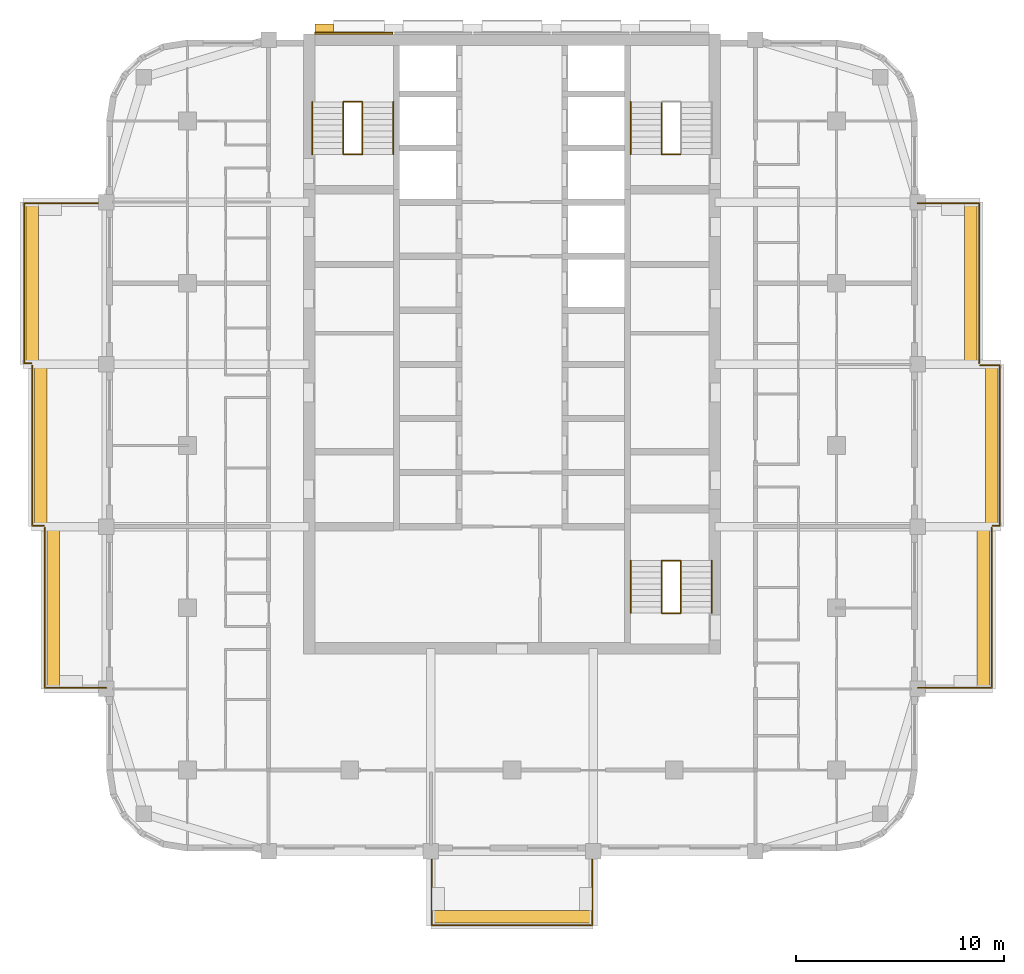
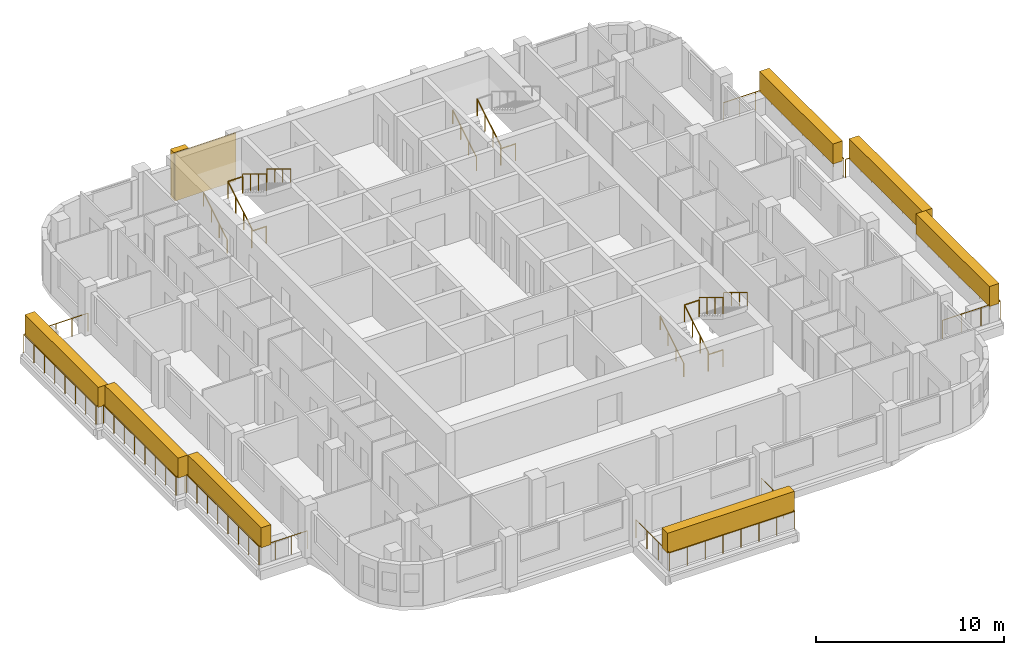
# One storey, part 12 of 13: 22 railings, 9 coverings, 3 elements without a shape of their own.
"""IFC4 building model written with IfcOpenShell, lengths in metres."""

import ifcopenshell
import ifcopenshell.guid

model = None  # the IFC model being written
_history = None  # IfcOwnerHistory: only IFC2X3 demands one
_inside = {}  # id of a spatial element -> (the spatial element, [elements in it])
_under = {}  # id of a project, library or spatial element -> (it, [spatial elements below it])
_declared = {}  # id of a project -> (the project, [libraries it declares])
_typed = {}  # id of a type object -> (the type object, [elements of that type])
_made_of = {}  # id of a material, layer set ... -> (it, [elements and type objects made of it])


def new_model(schema):
    """Start an empty IFC model of exactly this schema.

    Asked for "IFC4X3", IfcOpenShell would pick the latest addendum, in which some entities
    have other attributes; the version numbers below select the first issue.
    IFC2X3 requires an IfcOwnerHistory on every rooted entity: one is made here for all.
    """
    global model, _history
    if schema == "IFC4X3":
        model = ifcopenshell.file(schema_version=(4, 3, 0, 0))
    else:
        model = ifcopenshell.file(schema=schema)
    _inside.clear()
    _under.clear()
    _declared.clear()
    _typed.clear()
    _made_of.clear()
    _history = None
    if model.schema == "IFC2X3":
        org = make("IfcOrganization", Name="unknown")
        user = make(
            "IfcPersonAndOrganization",
            ThePerson=make("IfcPerson", FamilyName="unknown"),
            TheOrganization=org,
        )
        app = make(
            "IfcApplication",
            ApplicationDeveloper=org,
            Version="unknown",
            ApplicationFullName="unknown",
            ApplicationIdentifier="unknown",
        )
        _history = make(
            "IfcOwnerHistory",
            OwningUser=user,
            OwningApplication=app,
            ChangeAction="ADDED",
            CreationDate=0,
        )
    return model


def make(cls, **values):
    """One entity of the class cls with the attributes given. An attribute that is None is left unset."""
    return model.create_entity(
        cls, **{name: value for name, value in values.items() if value is not None}
    )


def rooted(cls, **values):
    """An entity with a GlobalId (a new one), such as an element, a storey or a relation."""
    return make(cls, GlobalId=ifcopenshell.guid.new(), OwnerHistory=_history, **values)


def si_unit(unit_type, name, prefix=None):
    """IfcSIUnit, for example si_unit("LENGTHUNIT", "METRE", prefix="MILLI")."""
    return make("IfcSIUnit", UnitType=unit_type, Prefix=prefix, Name=name)


def assignment(units):
    """IfcUnitAssignment: the units of a project."""
    return None if units is None else make("IfcUnitAssignment", Units=units)


def point(xyz):
    """IfcCartesianPoint."""
    return None if xyz is None else make("IfcCartesianPoint", Coordinates=xyz)


def direction(xyz):
    """IfcDirection."""
    return None if xyz is None else make("IfcDirection", DirectionRatios=xyz)


def frame(location, z_axis=None, x_axis=None):
    """IfcAxis2Placement3D, a coordinate frame: its origin and axes. An axis left out is left unset."""
    return make(
        "IfcAxis2Placement3D",
        Location=point(location),
        Axis=direction(z_axis),
        RefDirection=direction(x_axis),
    )


def frame_2d(location, x_axis=None):
    """IfcAxis2Placement2D, a coordinate frame in the plane: its origin and x axis."""
    return make(
        "IfcAxis2Placement2D", Location=point(location), RefDirection=direction(x_axis)
    )


def origin():
    """The frame at (0, 0, 0) with its axes left unset."""
    return frame((0.0, 0.0, 0.0))


def origin_2d():
    """The frame at (0, 0) in the plane with its x axis left unset."""
    return frame_2d((0.0, 0.0))


def place(relative_to, where):
    """IfcLocalPlacement: puts the frame where relative to a parent placement (None: the world)."""
    return make(
        "IfcLocalPlacement", PlacementRelTo=relative_to, RelativePlacement=where
    )


def context(
    kind, dimensions, precision=None, world=None, true_north=None, identifier=None
):
    """IfcGeometricRepresentationContext, for example the 3D "Model" context."""
    return make(
        "IfcGeometricRepresentationContext",
        ContextIdentifier=identifier,
        ContextType=kind,
        CoordinateSpaceDimension=dimensions,
        Precision=precision,
        WorldCoordinateSystem=world,
        TrueNorth=true_north,
    )


def subcontext(parent, identifier, kind, view, scale=None):
    """IfcGeometricRepresentationSubContext, for example "Body" below "Model"."""
    return make(
        "IfcGeometricRepresentationSubContext",
        ContextIdentifier=identifier,
        ContextType=kind,
        ParentContext=parent,
        TargetScale=scale,
        TargetView=view,
    )


def project(units=None, contexts=None):
    """IfcProject with its units and contexts."""
    return rooted(
        "IfcProject",
        Name="project",
        RepresentationContexts=contexts,
        UnitsInContext=assignment(units),
    )


def spatial(cls, under=None, at=None, **own):
    """A site, building, storey or space (cls), placed at a placement, below another one or the project."""
    s = rooted(cls, ObjectPlacement=at, **own)
    if under is not None:
        _under.setdefault(under.id(), (under, []))[1].append(s)
    return s


def profile(cls, at=None, kind="AREA", **sizes):
    """A parametric profile (cls). Its sizes go by their IFC names, for example OverallWidth=200.0."""
    return make(cls, ProfileType=kind, Position=at, **sizes)


def rectangle(**sizes):
    """IfcRectangleProfileDef."""
    return profile("IfcRectangleProfileDef", **sizes)


def circle(**sizes):
    """IfcCircleProfileDef."""
    return profile("IfcCircleProfileDef", **sizes)


def extrude(swept, where, along, depth):
    """IfcExtrudedAreaSolid: the profile swept, set in the frame where, extruded along a direction by depth."""
    return make(
        "IfcExtrudedAreaSolid",
        SweptArea=swept,
        Position=where,
        ExtrudedDirection=direction(along),
        Depth=depth,
    )


def shape(context_of_items, identifier, shape_type, items):
    """IfcShapeRepresentation: the items that make up one representation, for example the "Body"."""
    return make(
        "IfcShapeRepresentation",
        ContextOfItems=context_of_items,
        RepresentationIdentifier=identifier,
        RepresentationType=shape_type,
        Items=items,
    )


def material(Name=None, Category=None):
    """IfcMaterial."""
    return make("IfcMaterial", Name=Name, Category=Category)


def layer(
    of_material, thickness, ventilated=None, Name=None, Category=None, Priority=None
):
    """IfcMaterialLayer: one layer of a wall or slab, of a material (None: an air gap)."""
    return make(
        "IfcMaterialLayer",
        Material=of_material,
        LayerThickness=thickness,
        IsVentilated=ventilated,
        Name=Name,
        Category=Category,
        Priority=Priority,
    )


def layer_set(layers, Name=None):
    """IfcMaterialLayerSet."""
    return make("IfcMaterialLayerSet", MaterialLayers=layers, LayerSetName=Name)


def made_of(thing, what):
    """Note that an element or type object is made of a material, layer set ...; save() writes the relation."""
    if what is not None:
        _made_of.setdefault(what.id(), (what, []))[1].append(thing)
    return thing


def type_object(cls, material=None, **own):
    """A type object (cls), such as IfcWallType, which elements share."""
    return made_of(rooted(cls, **own), material)


def element(
    cls,
    number,
    at=None,
    inside=None,
    cuts=None,
    type_object=None,
    material=None,
    context=None,
    identifier="Body",
    shape_type=None,
    held_by="IfcProductDefinitionShape",
    body=None,
    shapes=None,
    **own,
):
    """One element of the class cls, such as IfcWall. Its Tag is "e" and its number.

    at: its placement. inside: the storey or other place that contains it. cuts: it is an
    opening in that element (IfcRelVoidsElement). A single representation is given by context,
    identifier, shape_type and body (its items); several are given by shapes. held_by: the class
    of the entity that holds the representations. save() writes the other relations.
    """
    e = rooted(cls, Tag="e%d" % number, ObjectPlacement=at, **own)
    if body is not None:
        shapes = [shape(context, identifier, shape_type, body)]
    if shapes is not None:
        e.Representation = make(held_by, Representations=shapes)
    if inside is not None:
        _inside.setdefault(inside.id(), (inside, []))[1].append(e)
    if cuts is not None:
        rooted(
            "IfcRelVoidsElement", RelatingBuildingElement=cuts, RelatedOpeningElement=e
        )
    if type_object is not None:
        _typed.setdefault(type_object.id(), (type_object, []))[1].append(e)
    return made_of(e, material)


def aggregate(whole, parts):
    """IfcRelAggregates: a whole, such as a stair, and the parts it consists of."""
    return rooted("IfcRelAggregates", RelatingObject=whole, RelatedObjects=parts)


def save(model, path):
    """Write the relations noted so far, then the file.

    IfcRelAggregates (storeys below a building ...), IfcRelContainedInSpatialStructure (elements
    in a storey), IfcRelDefinesByType, IfcRelAssociatesMaterial and IfcRelDeclares: one each for
    every whole, place, type object, material and project.
    """
    for whole, parts in _under.values():
        aggregate(whole, parts)
    for where, things in _inside.values():
        rooted(
            "IfcRelContainedInSpatialStructure",
            RelatedElements=things,
            RelatingStructure=where,
        )
    for kind, things in _typed.values():
        rooted("IfcRelDefinesByType", RelatedObjects=things, RelatingType=kind)
    for what, things in _made_of.values():
        rooted("IfcRelAssociatesMaterial", RelatedObjects=things, RelatingMaterial=what)
    for by, libraries in _declared.values():
        rooted("IfcRelDeclares", RelatingContext=by, RelatedDefinitions=libraries)
    model.write(path)


model = new_model("IFC4")

# Units and contexts
model_context = context("Model", 3, precision=1e-05, world=origin(), true_north=direction((0.0, 1.0)))
body_context = subcontext(model_context, "Body", "Model", "MODEL_VIEW")
ifc_project = project(units=[si_unit("LENGTHUNIT", "METRE"), si_unit("AREAUNIT", "SQUARE_METRE"), si_unit("VOLUMEUNIT", "CUBIC_METRE"), si_unit("PLANEANGLEUNIT", "RADIAN"), si_unit("MASSUNIT", "GRAM", prefix="KILO")], contexts=[model_context])

# Site, building, storey
site_placement = place(None, origin())
site = spatial("IfcSite", under=ifc_project, at=site_placement, CompositionType="ELEMENT")
building_placement = place(site_placement, origin())
building = spatial("IfcBuilding", under=site, at=building_placement, Name="Ludao Terraces", CompositionType="ELEMENT")
storey_placement = place(building_placement, frame((0.0, 0.0, 158.800048828125)))
storey = spatial("IfcBuildingStorey", under=building, at=storey_placement, Name="L43", CompositionType="ELEMENT", Elevation=158.800048828125)

# Railings
ifc_material_1 = material(Name="Stainless steel 304", Category="steel")
railing_type_1 = type_object("IfcRailingType", Name="ENV Balcony glass guard 1200", PredefinedType="GUARDRAIL", material=ifc_material_1)
railing_1_placement = place(storey_placement, frame((81.14990234375, 45.5, 0.0)))
element("IfcRailing", 1, at=railing_1_placement, inside=storey, type_object=railing_type_1, Name="Balcony guard L43 S1", PredefinedType="GUARDRAIL", context=body_context, shape_type="SweptSolid", body=[
    extrude(circle(Radius=0.02392578125, at=origin_2d()), frame((0.0, 0.0, 1.17578125), z_axis=(0.0, -1.0, 0.0), x_axis=(1.0, 0.0, 0.0)), (0.0, 0.0, 1.0), 3.550048828125),
    extrude(circle(Radius=0.02392578125, at=origin_2d()), frame((0.0, -3.550048828125, 1.17578125), z_axis=(1.0, 0.0, 0.0), x_axis=(0.0, 1.0, 0.0)), (0.0, 0.0, 1.0), 7.7001953125),
    extrude(circle(Radius=0.02392578125, at=origin_2d()), frame((7.7001953125, -3.550048828125, 1.17578125), z_axis=(0.0, 1.0, 0.0), x_axis=(-1.0, 0.0, 0.0)), (0.0, 0.0, 1.0), 3.550048828125),
    extrude(circle(Radius=0.02099609375, at=origin_2d()), origin(), (0.0, 0.0, 1.0), 1.15185546875),
    extrude(circle(Radius=0.02099609375, at=origin_2d()), frame((0.0, -1.183349609375, 0.0)), (0.0, 0.0, 1.0), 1.15185546875),
    extrude(circle(Radius=0.02099609375, at=origin_2d()), frame((0.0, -2.36669921875, 0.0)), (0.0, 0.0, 1.0), 1.15185546875),
    extrude(circle(Radius=0.02099609375, at=origin_2d()), frame((0.0, -3.550048828125, 0.0)), (0.0, 0.0, 1.0), 1.15185546875),
    extrude(circle(Radius=0.02099609375, at=origin_2d()), frame((1.10009765625, -3.550048828125, 0.0)), (0.0, 0.0, 1.0), 1.15185546875),
    extrude(circle(Radius=0.02099609375, at=origin_2d()), frame((2.199951171875, -3.550048828125, 0.0)), (0.0, 0.0, 1.0), 1.15185546875),
    extrude(circle(Radius=0.02099609375, at=origin_2d()), frame((3.300048828125, -3.550048828125, 0.0)), (0.0, 0.0, 1.0), 1.15185546875),
    extrude(circle(Radius=0.02099609375, at=origin_2d()), frame((4.400146484375, -3.550048828125, 0.0)), (0.0, 0.0, 1.0), 1.15185546875),
    extrude(circle(Radius=0.02099609375, at=origin_2d()), frame((5.500244140625, -3.550048828125, 0.0)), (0.0, 0.0, 1.0), 1.15185546875),
    extrude(circle(Radius=0.02099609375, at=origin_2d()), frame((6.60009765625, -3.550048828125, 0.0)), (0.0, 0.0, 1.0), 1.15185546875),
    extrude(circle(Radius=0.02099609375, at=origin_2d()), frame((7.7001953125, -3.550048828125, 0.0)), (0.0, 0.0, 1.0), 1.15185546875),
    extrude(circle(Radius=0.02099609375, at=origin_2d()), frame((7.7001953125, -2.36669921875, 0.0)), (0.0, 0.0, 1.0), 1.15185546875),
    extrude(circle(Radius=0.02099609375, at=origin_2d()), frame((7.7001953125, -1.183349609375, 0.0)), (0.0, 0.0, 1.0), 1.15185546875),
    extrude(circle(Radius=0.02099609375, at=origin_2d()), frame((7.7001953125, 0.0, 0.0)), (0.0, 0.0, 1.0), 1.15185546875),
])
railing_2_placement = place(storey_placement, frame((104.5, 53.35009765625, 0.0)))
element("IfcRailing", 2, at=railing_2_placement, inside=storey, type_object=railing_type_1, Name="Balcony guard L43 E1", PredefinedType="GUARDRAIL", context=body_context, shape_type="SweptSolid", body=[
    extrude(circle(Radius=0.02392578125, at=origin_2d()), frame((0.0, 0.0, 1.17578125), z_axis=(1.0, 0.0, 0.0), x_axis=(0.0, 1.0, 0.0)), (0.0, 0.0, 1.0), 3.550048828125),
    extrude(circle(Radius=0.02392578125, at=origin_2d()), frame((3.550048828125, 0.0, 1.17578125), z_axis=(0.0, 1.0, 0.0), x_axis=(-1.0, 0.0, 0.0)), (0.0, 0.0, 1.0), 7.699951171875),
    extrude(circle(Radius=0.02099609375, at=origin_2d()), origin(), (0.0, 0.0, 1.0), 1.15185546875),
    extrude(circle(Radius=0.02099609375, at=origin_2d()), frame((1.183349609375, 0.0, 0.0)), (0.0, 0.0, 1.0), 1.15185546875),
    extrude(circle(Radius=0.02099609375, at=origin_2d()), frame((2.36669921875, 0.0, 0.0)), (0.0, 0.0, 1.0), 1.15185546875),
    extrude(circle(Radius=0.02099609375, at=origin_2d()), frame((3.550048828125, 0.0, 0.0)), (0.0, 0.0, 1.0), 1.15185546875),
    extrude(circle(Radius=0.02099609375, at=origin_2d()), frame((3.550048828125, 1.10009765625, 0.0)), (0.0, 0.0, 1.0), 1.15185546875),
    extrude(circle(Radius=0.02099609375, at=origin_2d()), frame((3.550048828125, 2.199951171875, 0.0)), (0.0, 0.0, 1.0), 1.15185546875),
    extrude(circle(Radius=0.02099609375, at=origin_2d()), frame((3.550048828125, 3.300048828125, 0.0)), (0.0, 0.0, 1.0), 1.15185546875),
    extrude(circle(Radius=0.02099609375, at=origin_2d()), frame((3.550048828125, 4.39990234375, 0.0)), (0.0, 0.0, 1.0), 1.15185546875),
    extrude(circle(Radius=0.02099609375, at=origin_2d()), frame((3.550048828125, 5.5, 0.0)), (0.0, 0.0, 1.0), 1.15185546875),
    extrude(circle(Radius=0.02099609375, at=origin_2d()), frame((3.550048828125, 6.599853515625, 0.0)), (0.0, 0.0, 1.0), 1.15185546875),
    extrude(circle(Radius=0.02099609375, at=origin_2d()), frame((3.550048828125, 7.699951171875, 0.0)), (0.0, 0.0, 1.0), 1.15185546875),
])
railing_3_placement = place(storey_placement, frame((108.10009765625, 61.14990234375, 0.0)))
element("IfcRailing", 3, at=railing_3_placement, inside=storey, type_object=railing_type_1, Name="Balcony guard L43 E2", PredefinedType="GUARDRAIL", context=body_context, shape_type="SweptSolid", body=[
    extrude(circle(Radius=0.02392578125, at=origin_2d()), frame((0.0, 0.0, 1.17578125), z_axis=(1.0, 0.0, 0.0), x_axis=(0.0, 1.0, 0.0)), (0.0, 0.0, 1.0), 0.349853515625),
    extrude(circle(Radius=0.02392578125, at=origin_2d()), frame((0.349853515625, 0.0, 1.17578125), z_axis=(0.0, 1.0, 0.0), x_axis=(-1.0, 0.0, 0.0)), (0.0, 0.0, 1.0), 7.7001953125),
    extrude(circle(Radius=0.02392578125, at=origin_2d()), frame((0.349853515625, 7.7001953125, 1.17578125), z_axis=(-1.0, 0.0, 0.0), x_axis=(0.0, -1.0, 0.0)), (0.0, 0.0, 1.0), 0.949951171875),
    extrude(circle(Radius=0.02099609375, at=origin_2d()), origin(), (0.0, 0.0, 1.0), 1.15185546875),
    extrude(circle(Radius=0.02099609375, at=origin_2d()), frame((0.349853515625, 0.0, 0.0)), (0.0, 0.0, 1.0), 1.15185546875),
    extrude(circle(Radius=0.02099609375, at=origin_2d()), frame((0.349853515625, 1.10009765625, 0.0)), (0.0, 0.0, 1.0), 1.15185546875),
    extrude(circle(Radius=0.02099609375, at=origin_2d()), frame((0.349853515625, 2.199951171875, 0.0)), (0.0, 0.0, 1.0), 1.15185546875),
    extrude(circle(Radius=0.02099609375, at=origin_2d()), frame((0.349853515625, 3.300048828125, 0.0)), (0.0, 0.0, 1.0), 1.15185546875),
    extrude(circle(Radius=0.02099609375, at=origin_2d()), frame((0.349853515625, 4.400146484375, 0.0)), (0.0, 0.0, 1.0), 1.15185546875),
    extrude(circle(Radius=0.02099609375, at=origin_2d()), frame((0.349853515625, 5.500244140625, 0.0)), (0.0, 0.0, 1.0), 1.15185546875),
    extrude(circle(Radius=0.02099609375, at=origin_2d()), frame((0.349853515625, 6.60009765625, 0.0)), (0.0, 0.0, 1.0), 1.15185546875),
    extrude(circle(Radius=0.02099609375, at=origin_2d()), frame((0.349853515625, 7.7001953125, 0.0)), (0.0, 0.0, 1.0), 1.15185546875),
    extrude(circle(Radius=0.02099609375, at=origin_2d()), frame((-0.60009765625, 7.7001953125, 0.0)), (0.0, 0.0, 1.0), 1.15185546875),
])
railing_4_placement = place(storey_placement, frame((107.449951171875, 68.949951171875, 0.0)))
element("IfcRailing", 4, at=railing_4_placement, inside=storey, type_object=railing_type_1, Name="Balcony guard L43 E3", PredefinedType="GUARDRAIL", context=body_context, shape_type="SweptSolid", body=[
    extrude(circle(Radius=0.02392578125, at=origin_2d()), frame((0.0, 0.0, 1.17578125), z_axis=(0.0, 1.0, 0.0), x_axis=(-1.0, 0.0, 0.0)), (0.0, 0.0, 1.0), 7.699951171875),
    extrude(circle(Radius=0.02392578125, at=origin_2d()), frame((0.0, 7.699951171875, 1.17578125), z_axis=(-1.0, 0.0, 0.0), x_axis=(0.0, -1.0, 0.0)), (0.0, 0.0, 1.0), 2.949951171875),
    extrude(circle(Radius=0.02099609375, at=origin_2d()), origin(), (0.0, 0.0, 1.0), 1.15185546875),
    extrude(circle(Radius=0.02099609375, at=origin_2d()), frame((0.0, 1.10009765625, 0.0)), (0.0, 0.0, 1.0), 1.15185546875),
    extrude(circle(Radius=0.02099609375, at=origin_2d()), frame((0.0, 2.199951171875, 0.0)), (0.0, 0.0, 1.0), 1.15185546875),
    extrude(circle(Radius=0.02099609375, at=origin_2d()), frame((0.0, 3.300048828125, 0.0)), (0.0, 0.0, 1.0), 1.15185546875),
    extrude(circle(Radius=0.02099609375, at=origin_2d()), frame((0.0, 4.39990234375, 0.0)), (0.0, 0.0, 1.0), 1.15185546875),
    extrude(circle(Radius=0.02099609375, at=origin_2d()), frame((0.0, 5.5, 0.0)), (0.0, 0.0, 1.0), 1.15185546875),
    extrude(circle(Radius=0.02099609375, at=origin_2d()), frame((0.0, 6.599853515625, 0.0)), (0.0, 0.0, 1.0), 1.15185546875),
    extrude(circle(Radius=0.02099609375, at=origin_2d()), frame((0.0, 7.699951171875, 0.0)), (0.0, 0.0, 1.0), 1.15185546875),
    extrude(circle(Radius=0.02099609375, at=origin_2d()), frame((-0.9833984375, 7.699951171875, 0.0)), (0.0, 0.0, 1.0), 1.15185546875),
    extrude(circle(Radius=0.02099609375, at=origin_2d()), frame((-1.966552734375, 7.699951171875, 0.0)), (0.0, 0.0, 1.0), 1.15185546875),
    extrude(circle(Radius=0.02099609375, at=origin_2d()), frame((-2.949951171875, 7.699951171875, 0.0)), (0.0, 0.0, 1.0), 1.15185546875),
])
railing_5_placement = place(storey_placement, frame((65.5, 53.35009765625, 0.0)))
element("IfcRailing", 5, at=railing_5_placement, inside=storey, type_object=railing_type_1, Name="Balcony guard L43 W1", PredefinedType="GUARDRAIL", context=body_context, shape_type="SweptSolid", body=[
    extrude(circle(Radius=0.02392578125, at=origin_2d()), frame((0.0, 0.0, 1.17578125), z_axis=(-1.0, 0.0, 0.0), x_axis=(0.0, -1.0, 0.0)), (0.0, 0.0, 1.0), 2.949951171875),
    extrude(circle(Radius=0.02392578125, at=origin_2d()), frame((-2.949951171875, 0.0, 1.17578125), z_axis=(0.0, 1.0, 0.0), x_axis=(-1.0, 0.0, 0.0)), (0.0, 0.0, 1.0), 7.699951171875),
    extrude(circle(Radius=0.02099609375, at=origin_2d()), origin(), (0.0, 0.0, 1.0), 1.15185546875),
    extrude(circle(Radius=0.02099609375, at=origin_2d()), frame((-0.9833984375, 0.0, 0.0)), (0.0, 0.0, 1.0), 1.15185546875),
    extrude(circle(Radius=0.02099609375, at=origin_2d()), frame((-1.966552734375, 0.0, 0.0)), (0.0, 0.0, 1.0), 1.15185546875),
    extrude(circle(Radius=0.02099609375, at=origin_2d()), frame((-2.949951171875, 0.0, 0.0)), (0.0, 0.0, 1.0), 1.15185546875),
    extrude(circle(Radius=0.02099609375, at=origin_2d()), frame((-2.949951171875, 1.10009765625, 0.0)), (0.0, 0.0, 1.0), 1.15185546875),
    extrude(circle(Radius=0.02099609375, at=origin_2d()), frame((-2.949951171875, 2.199951171875, 0.0)), (0.0, 0.0, 1.0), 1.15185546875),
    extrude(circle(Radius=0.02099609375, at=origin_2d()), frame((-2.949951171875, 3.300048828125, 0.0)), (0.0, 0.0, 1.0), 1.15185546875),
    extrude(circle(Radius=0.02099609375, at=origin_2d()), frame((-2.949951171875, 4.39990234375, 0.0)), (0.0, 0.0, 1.0), 1.15185546875),
    extrude(circle(Radius=0.02099609375, at=origin_2d()), frame((-2.949951171875, 5.5, 0.0)), (0.0, 0.0, 1.0), 1.15185546875),
    extrude(circle(Radius=0.02099609375, at=origin_2d()), frame((-2.949951171875, 6.599853515625, 0.0)), (0.0, 0.0, 1.0), 1.15185546875),
    extrude(circle(Radius=0.02099609375, at=origin_2d()), frame((-2.949951171875, 7.699951171875, 0.0)), (0.0, 0.0, 1.0), 1.15185546875),
])
railing_6_placement = place(storey_placement, frame((62.5, 61.14990234375, 0.0)))
element("IfcRailing", 6, at=railing_6_placement, inside=storey, type_object=railing_type_1, Name="Balcony guard L43 W2", PredefinedType="GUARDRAIL", context=body_context, shape_type="SweptSolid", body=[
    extrude(circle(Radius=0.02392578125, at=origin_2d()), frame((0.0, 0.0, 1.17578125), z_axis=(-1.0, 0.0, 0.0), x_axis=(0.0, -1.0, 0.0)), (0.0, 0.0, 1.0), 0.550048828125),
    extrude(circle(Radius=0.02392578125, at=origin_2d()), frame((-0.550048828125, 0.0, 1.17578125), z_axis=(0.0, 1.0, 0.0), x_axis=(-1.0, 0.0, 0.0)), (0.0, 0.0, 1.0), 7.7001953125),
    extrude(circle(Radius=0.02099609375, at=origin_2d()), origin(), (0.0, 0.0, 1.0), 1.15185546875),
    extrude(circle(Radius=0.02099609375, at=origin_2d()), frame((-0.550048828125, 0.0, 0.0)), (0.0, 0.0, 1.0), 1.15185546875),
    extrude(circle(Radius=0.02099609375, at=origin_2d()), frame((-0.550048828125, 1.10009765625, 0.0)), (0.0, 0.0, 1.0), 1.15185546875),
    extrude(circle(Radius=0.02099609375, at=origin_2d()), frame((-0.550048828125, 2.199951171875, 0.0)), (0.0, 0.0, 1.0), 1.15185546875),
    extrude(circle(Radius=0.02099609375, at=origin_2d()), frame((-0.550048828125, 3.300048828125, 0.0)), (0.0, 0.0, 1.0), 1.15185546875),
    extrude(circle(Radius=0.02099609375, at=origin_2d()), frame((-0.550048828125, 4.400146484375, 0.0)), (0.0, 0.0, 1.0), 1.15185546875),
    extrude(circle(Radius=0.02099609375, at=origin_2d()), frame((-0.550048828125, 5.500244140625, 0.0)), (0.0, 0.0, 1.0), 1.15185546875),
    extrude(circle(Radius=0.02099609375, at=origin_2d()), frame((-0.550048828125, 6.60009765625, 0.0)), (0.0, 0.0, 1.0), 1.15185546875),
    extrude(circle(Radius=0.02099609375, at=origin_2d()), frame((-0.550048828125, 7.7001953125, 0.0)), (0.0, 0.0, 1.0), 1.15185546875),
])
railing_7_placement = place(storey_placement, frame((61.89990234375, 68.949951171875, 0.0)))
element("IfcRailing", 7, at=railing_7_placement, inside=storey, type_object=railing_type_1, Name="Balcony guard L43 W3", PredefinedType="GUARDRAIL", context=body_context, shape_type="SweptSolid", body=[
    extrude(circle(Radius=0.02392578125, at=origin_2d()), frame((0.0, 0.0, 1.17578125), z_axis=(-1.0, 0.0, 0.0), x_axis=(0.0, -1.0, 0.0)), (0.0, 0.0, 1.0), 0.349853515625),
    extrude(circle(Radius=0.02392578125, at=origin_2d()), frame((-0.349853515625, 0.0, 1.17578125), z_axis=(0.0, 1.0, 0.0), x_axis=(-1.0, 0.0, 0.0)), (0.0, 0.0, 1.0), 7.699951171875),
    extrude(circle(Radius=0.02392578125, at=origin_2d()), frame((-0.349853515625, 7.699951171875, 1.17578125), z_axis=(1.0, 0.0, 0.0), x_axis=(0.0, 1.0, 0.0)), (0.0, 0.0, 1.0), 3.949951171875),
    extrude(circle(Radius=0.02099609375, at=origin_2d()), origin(), (0.0, 0.0, 1.0), 1.15185546875),
    extrude(circle(Radius=0.02099609375, at=origin_2d()), frame((-0.349853515625, 0.0, 0.0)), (0.0, 0.0, 1.0), 1.15185546875),
    extrude(circle(Radius=0.02099609375, at=origin_2d()), frame((-0.349853515625, 1.10009765625, 0.0)), (0.0, 0.0, 1.0), 1.15185546875),
    extrude(circle(Radius=0.02099609375, at=origin_2d()), frame((-0.349853515625, 2.199951171875, 0.0)), (0.0, 0.0, 1.0), 1.15185546875),
    extrude(circle(Radius=0.02099609375, at=origin_2d()), frame((-0.349853515625, 3.300048828125, 0.0)), (0.0, 0.0, 1.0), 1.15185546875),
    extrude(circle(Radius=0.02099609375, at=origin_2d()), frame((-0.349853515625, 4.39990234375, 0.0)), (0.0, 0.0, 1.0), 1.15185546875),
    extrude(circle(Radius=0.02099609375, at=origin_2d()), frame((-0.349853515625, 5.5, 0.0)), (0.0, 0.0, 1.0), 1.15185546875),
    extrude(circle(Radius=0.02099609375, at=origin_2d()), frame((-0.349853515625, 6.599853515625, 0.0)), (0.0, 0.0, 1.0), 1.15185546875),
    extrude(circle(Radius=0.02099609375, at=origin_2d()), frame((-0.349853515625, 7.699951171875, 0.0)), (0.0, 0.0, 1.0), 1.15185546875),
    extrude(circle(Radius=0.02099609375, at=origin_2d()), frame((0.6376953125, 7.699951171875, 0.0)), (0.0, 0.0, 1.0), 1.15185546875),
    extrude(circle(Radius=0.02099609375, at=origin_2d()), frame((1.625, 7.699951171875, 0.0)), (0.0, 0.0, 1.0), 1.15185546875),
    extrude(circle(Radius=0.02099609375, at=origin_2d()), frame((2.612548828125, 7.699951171875, 0.0)), (0.0, 0.0, 1.0), 1.15185546875),
    extrude(circle(Radius=0.02099609375, at=origin_2d()), frame((3.60009765625, 7.699951171875, 0.0)), (0.0, 0.0, 1.0), 1.15185546875),
])

# Coverings
ifc_material_2 = material(Name="Granite cladding", Category="masonry")
ifc_layer_1 = layer(ifc_material_2, 0.39990234375)
ifc_layer_set_1 = layer_set([ifc_layer_1], Name="ENV Core pilaster stone 400")
covering_type_1 = type_object("IfcCoveringType", Name="ENV Core pilaster stone 400", PredefinedType="CLADDING", material=ifc_layer_set_1)
covering_1_placement = place(storey_placement, frame((75.97509765625, 85.054931640625, 0.0), z_axis=(0.0, 0.0, 1.0), x_axis=(1.0, 0.0, 0.0)))
element("IfcCovering", 8, at=covering_1_placement, inside=storey, type_object=covering_type_1, Name="CC-L43-PIL1", PredefinedType="CLADDING", context=body_context, shape_type="SweptSolid", body=[
    extrude(rectangle(XDim=0.89990234375, YDim=0.39990234375, at=origin_2d()), origin(), (0.0, 0.0, 1.0), 3.10009765625),
])
ifc_layer_2 = layer(ifc_material_2, 0.080078125)
ifc_layer_set_2 = layer_set([ifc_layer_2], Name="ENV Core stone cladding panel 80")
covering_type_2 = type_object("IfcCoveringType", Name="ENV Core stone cladding panel 80", PredefinedType="CLADDING", material=ifc_layer_set_2)
covering_2_placement = place(storey_placement, frame((77.39501953125, 84.81494140625, 0.0), z_axis=(0.0, 0.0, 1.0), x_axis=(1.0, 0.0, 0.0)))
element("IfcCovering", 9, at=covering_2_placement, inside=storey, type_object=covering_type_2, Name="CC-L43-CORE1", PredefinedType="CLADDING", context=body_context, shape_type="SweptSolid", body=[
    extrude(rectangle(XDim=3.739990234375, YDim=0.080078125, at=origin_2d()), origin(), (0.0, 0.0, 1.0), 3.10009765625),
])
ifc_material_3 = material(Name="Planting")
ifc_layer_3 = layer(ifc_material_3, 0.60009765625)
ifc_layer_set_3 = layer_set([ifc_layer_3], Name="ENV Planting hedge 600x1300")
covering_type_3 = type_object("IfcCoveringType", Name="ENV Planting hedge 600x1300", PredefinedType="USERDEFINED", material=ifc_layer_set_3)
covering_3_placement = place(storey_placement, frame((85.0, 42.35009765625, 1.10009765625), z_axis=(0.0, 0.0, 1.0), x_axis=(1.0, 0.0, 0.0)))
element("IfcCovering", 10, at=covering_3_placement, inside=storey, type_object=covering_type_3, Name="Planting hedge L43-S1", ObjectType="PLANTING", PredefinedType="USERDEFINED", context=body_context, shape_type="SweptSolid", body=[
    extrude(rectangle(XDim=7.800048828125, YDim=0.60009765625, at=origin_2d()), origin(), (0.0, 0.0, 1.0), 1.300048828125),
])
for number, where, z_axis, x_axis, name in (
    (11, (107.64990234375, 57.199951171875, 1.10009765625), (0.0, 0.0, 1.0), (1.0, 0.0, 0.0), "Planting hedge L43-E1"),
    (12, (108.050048828125, 65.0, 1.10009765625), (0.0, 0.0, 1.0), (1.0, 0.0, 0.0), "Planting hedge L43-E2"),
    (13, (107.050048828125, 72.800048828125, 1.10009765625), (0.0, 0.0, 1.0), (1.0, 0.0, 0.0), "Planting hedge L43-E3"),
    (14, (62.949951171875, 57.199951171875, 1.10009765625), (0.0, 0.0, 1.0), (1.0, 0.0, 0.0), "Planting hedge L43-W1"),
    (15, (62.35009765625, 65.0, 1.10009765625), (0.0, 0.0, 1.0), (1.0, 0.0, 0.0), "Planting hedge L43-W2"),
    (16, (61.949951171875, 72.800048828125, 1.10009765625), (0.0, 0.0, 1.0), (1.0, 0.0, 0.0), "Planting hedge L43-W3"),
):
    element("IfcCovering", number, at=place(storey_placement, frame(where, z_axis=z_axis, x_axis=x_axis)), inside=storey, type_object=covering_type_3, Name=name, ObjectType="PLANTING", PredefinedType="USERDEFINED", context=body_context, shape_type="SweptSolid", body=[
        extrude(rectangle(XDim=0.60009765625, YDim=7.800048828125, at=origin_2d()), origin(), (0.0, 0.0, 1.0), 1.300048828125),
    ])

# Stair, railings
ifc_material_4 = material(Name="Concrete C40", Category="concrete")
stair_type = type_object("IfcStairType", Name="INT Stair", PredefinedType="HALF_TURN_STAIR", material=ifc_material_4)
stair_1_placement = place(storey_placement, origin())
stair_1 = element("IfcStair", 17, at=stair_1_placement, inside=storey, type_object=stair_type, Name="EXIT STAIR 1", PredefinedType="HALF_TURN_STAIR")
railing_type_2 = type_object("IfcRailingType", Name="INT Stair guard 1100", PredefinedType="GUARDRAIL", material=ifc_material_1)
railing_8_placement = place(storey_placement, frame((76.89990234375, 79.0, 0.169921875)))
railing_8 = element("IfcRailing", 18, at=railing_8_placement, type_object=railing_type_2, Name="ST-L43-S1-R1G", PredefinedType="GUARDRAIL", context=body_context, shape_type="SweptSolid", body=[
    extrude(circle(Radius=0.02392578125, at=origin_2d()), frame((0.0, 0.0, 1.076171875), z_axis=(0.0, 0.85478489116, 0.518982456201), x_axis=(-1.0, 0.0, 0.0)), (0.0, 0.0, 1.0), 2.9482421875),
    extrude(circle(Radius=0.02099609375, at=origin_2d()), origin(), (0.0, 0.0, 1.0), 1.052001953125),
    extrude(circle(Radius=0.02099609375, at=origin_2d()), frame((0.0, 0.840087890625, 0.510009765625)), (0.0, 0.0, 1.0), 1.052001953125),
    extrude(circle(Radius=0.02099609375, at=origin_2d()), frame((0.0, 1.679931640625, 1.02001953125)), (0.0, 0.0, 1.0), 1.052001953125),
    extrude(circle(Radius=0.02099609375, at=origin_2d()), frame((0.0, 2.52001953125, 1.530029296875)), (0.0, 0.0, 1.0), 1.052001953125),
])
railing_9_placement = place(storey_placement, frame((77.800048828125, 81.52001953125, 1.869873046875)))
railing_9 = element("IfcRailing", 19, at=railing_9_placement, type_object=railing_type_2, Name="ST-L43-S1-R2G", PredefinedType="GUARDRAIL", context=body_context, shape_type="SweptSolid", body=[
    extrude(circle(Radius=0.02392578125, at=origin_2d()), frame((0.0, 0.0, 1.076171875), z_axis=(0.0, -0.85478489116, 0.518982456201), x_axis=(1.0, 0.0, 0.0)), (0.0, 0.0, 1.0), 2.9482421875),
    extrude(circle(Radius=0.02099609375, at=origin_2d()), origin(), (0.0, 0.0, 1.0), 1.052001953125),
    extrude(circle(Radius=0.02099609375, at=origin_2d()), frame((0.0, -0.840087890625, 0.510009765625)), (0.0, 0.0, 1.0), 1.052001953125),
    extrude(circle(Radius=0.02099609375, at=origin_2d()), frame((0.0, -1.679931640625, 1.02001953125)), (0.0, 0.0, 1.0), 1.052001953125),
    extrude(circle(Radius=0.02099609375, at=origin_2d()), frame((0.0, -2.52001953125, 1.530029296875)), (0.0, 0.0, 1.0), 1.052001953125),
])
railing_10_placement = place(storey_placement, frame((76.89990234375, 81.52001953125, 1.699951171875)))
railing_10 = element("IfcRailing", 20, at=railing_10_placement, type_object=railing_type_2, Name="ST-L43-S1-E1G", PredefinedType="GUARDRAIL", context=body_context, shape_type="SweptSolid", body=[
    extrude(circle(Radius=0.02392578125, at=origin_2d()), frame((0.0, 0.0, 1.076171875), z_axis=(1.0, 0.0, 0.0), x_axis=(0.0, 1.0, 0.0)), (0.0, 0.0, 1.0), 0.900146484375),
    extrude(circle(Radius=0.02099609375, at=origin_2d()), origin(), (0.0, 0.0, 1.0), 1.052001953125),
    extrude(circle(Radius=0.02099609375, at=origin_2d()), frame((0.900146484375, 0.0, 0.0)), (0.0, 0.0, 1.0), 1.052001953125),
])
railing_11_placement = place(storey_placement, frame((76.89990234375, 79.0, 0.0)))
railing_11 = element("IfcRailing", 21, at=railing_11_placement, type_object=railing_type_2, Name="ST-L43-S1-E2G", PredefinedType="GUARDRAIL", context=body_context, shape_type="SweptSolid", body=[
    extrude(circle(Radius=0.02392578125, at=origin_2d()), frame((0.0, 0.0, 1.076171875), z_axis=(1.0, 0.0, 0.0), x_axis=(0.0, 1.0, 0.0)), (0.0, 0.0, 1.0), 0.900146484375),
    extrude(circle(Radius=0.02099609375, at=origin_2d()), origin(), (0.0, 0.0, 1.0), 1.052001953125),
    extrude(circle(Radius=0.02099609375, at=origin_2d()), frame((0.900146484375, 0.0, 0.0)), (0.0, 0.0, 1.0), 1.052001953125),
])

stair_2_placement = place(storey_placement, origin())
stair_2 = element("IfcStair", 22, at=stair_2_placement, inside=storey, type_object=stair_type, Name="EXIT STAIR 2", PredefinedType="HALF_TURN_STAIR")
railing_12_placement = place(storey_placement, frame((92.199951171875, 79.0, 0.169921875)))
railing_12 = element("IfcRailing", 23, at=railing_12_placement, type_object=railing_type_2, Name="ST-L43-S2-R1G", PredefinedType="GUARDRAIL", context=body_context, shape_type="SweptSolid", body=[
    extrude(circle(Radius=0.02392578125, at=origin_2d()), frame((0.0, 0.0, 1.076171875), z_axis=(0.0, 0.85478489116, 0.518982456201), x_axis=(-1.0, 0.0, 0.0)), (0.0, 0.0, 1.0), 2.9482421875),
    extrude(circle(Radius=0.02099609375, at=origin_2d()), origin(), (0.0, 0.0, 1.0), 1.052001953125),
    extrude(circle(Radius=0.02099609375, at=origin_2d()), frame((0.0, 0.840087890625, 0.510009765625)), (0.0, 0.0, 1.0), 1.052001953125),
    extrude(circle(Radius=0.02099609375, at=origin_2d()), frame((0.0, 1.679931640625, 1.02001953125)), (0.0, 0.0, 1.0), 1.052001953125),
    extrude(circle(Radius=0.02099609375, at=origin_2d()), frame((0.0, 2.52001953125, 1.530029296875)), (0.0, 0.0, 1.0), 1.052001953125),
])
railing_13_placement = place(storey_placement, frame((92.199951171875, 79.0, 0.0)))
railing_13 = element("IfcRailing", 24, at=railing_13_placement, type_object=railing_type_2, Name="ST-L43-S2-E2G", PredefinedType="GUARDRAIL", context=body_context, shape_type="SweptSolid", body=[
    extrude(circle(Radius=0.02392578125, at=origin_2d()), frame((0.0, 0.0, 1.076171875), z_axis=(1.0, 0.0, 0.0), x_axis=(0.0, 1.0, 0.0)), (0.0, 0.0, 1.0), 0.900146484375),
    extrude(circle(Radius=0.02099609375, at=origin_2d()), origin(), (0.0, 0.0, 1.0), 1.052001953125),
    extrude(circle(Radius=0.02099609375, at=origin_2d()), frame((0.900146484375, 0.0, 0.0)), (0.0, 0.0, 1.0), 1.052001953125),
])

stair_3_placement = place(storey_placement, origin())
stair_3 = element("IfcStair", 25, at=stair_3_placement, inside=storey, type_object=stair_type, Name="EXIT STAIR 3", PredefinedType="HALF_TURN_STAIR")
railing_14_placement = place(storey_placement, frame((92.199951171875, 56.949951171875, 0.169921875)))
railing_14 = element("IfcRailing", 26, at=railing_14_placement, type_object=railing_type_2, Name="ST-L43-S3-R1G", PredefinedType="GUARDRAIL", context=body_context, shape_type="SweptSolid", body=[
    extrude(circle(Radius=0.02392578125, at=origin_2d()), frame((0.0, 0.0, 1.076171875), z_axis=(0.0, 0.85478489116, 0.518982456201), x_axis=(-1.0, 0.0, 0.0)), (0.0, 0.0, 1.0), 2.9482421875),
    extrude(circle(Radius=0.02099609375, at=origin_2d()), origin(), (0.0, 0.0, 1.0), 1.052001953125),
    extrude(circle(Radius=0.02099609375, at=origin_2d()), frame((0.0, 0.840087890625, 0.510009765625)), (0.0, 0.0, 1.0), 1.052001953125),
    extrude(circle(Radius=0.02099609375, at=origin_2d()), frame((0.0, 1.679931640625, 1.02001953125)), (0.0, 0.0, 1.0), 1.052001953125),
    extrude(circle(Radius=0.02099609375, at=origin_2d()), frame((0.0, 2.52001953125, 1.530029296875)), (0.0, 0.0, 1.0), 1.052001953125),
])
railing_15_placement = place(storey_placement, frame((93.10009765625, 59.469970703125, 1.869873046875)))
railing_15 = element("IfcRailing", 27, at=railing_15_placement, type_object=railing_type_2, Name="ST-L43-S3-R2G", PredefinedType="GUARDRAIL", context=body_context, shape_type="SweptSolid", body=[
    extrude(circle(Radius=0.02392578125, at=origin_2d()), frame((0.0, 0.0, 1.076171875), z_axis=(0.0, -0.85478489116, 0.518982456201), x_axis=(1.0, 0.0, 0.0)), (0.0, 0.0, 1.0), 2.9482421875),
    extrude(circle(Radius=0.02099609375, at=origin_2d()), origin(), (0.0, 0.0, 1.0), 1.052001953125),
    extrude(circle(Radius=0.02099609375, at=origin_2d()), frame((0.0, -0.840087890625, 0.510009765625)), (0.0, 0.0, 1.0), 1.052001953125),
    extrude(circle(Radius=0.02099609375, at=origin_2d()), frame((0.0, -1.679931640625, 1.02001953125)), (0.0, 0.0, 1.0), 1.052001953125),
    extrude(circle(Radius=0.02099609375, at=origin_2d()), frame((0.0, -2.52001953125, 1.530029296875)), (0.0, 0.0, 1.0), 1.052001953125),
])
railing_16_placement = place(storey_placement, frame((92.199951171875, 59.469970703125, 1.699951171875)))
railing_16 = element("IfcRailing", 28, at=railing_16_placement, type_object=railing_type_2, Name="ST-L43-S3-E1G", PredefinedType="GUARDRAIL", context=body_context, shape_type="SweptSolid", body=[
    extrude(circle(Radius=0.02392578125, at=origin_2d()), frame((0.0, 0.0, 1.076171875), z_axis=(1.0, 0.0, 0.0), x_axis=(0.0, 1.0, 0.0)), (0.0, 0.0, 1.0), 0.900146484375),
    extrude(circle(Radius=0.02099609375, at=origin_2d()), origin(), (0.0, 0.0, 1.0), 1.052001953125),
    extrude(circle(Radius=0.02099609375, at=origin_2d()), frame((0.900146484375, 0.0, 0.0)), (0.0, 0.0, 1.0), 1.052001953125),
])
railing_17_placement = place(storey_placement, frame((92.199951171875, 56.949951171875, 0.0)))
railing_17 = element("IfcRailing", 29, at=railing_17_placement, type_object=railing_type_2, Name="ST-L43-S3-E2G", PredefinedType="GUARDRAIL", context=body_context, shape_type="SweptSolid", body=[
    extrude(circle(Radius=0.02392578125, at=origin_2d()), frame((0.0, 0.0, 1.076171875), z_axis=(1.0, 0.0, 0.0), x_axis=(0.0, 1.0, 0.0)), (0.0, 0.0, 1.0), 0.900146484375),
    extrude(circle(Radius=0.02099609375, at=origin_2d()), origin(), (0.0, 0.0, 1.0), 1.052001953125),
    extrude(circle(Radius=0.02099609375, at=origin_2d()), frame((0.900146484375, 0.0, 0.0)), (0.0, 0.0, 1.0), 1.052001953125),
])

# Railing
railing_type_3 = type_object("IfcRailingType", Name="INT Stair handrail 900", PredefinedType="HANDRAIL", material=ifc_material_1)
railing_18_placement = place(storey_placement, frame((75.39990234375, 79.0, 0.169921875)))
railing_18 = element("IfcRailing", 30, at=railing_18_placement, type_object=railing_type_3, Name="ST-L43-S1-R1H", PredefinedType="HANDRAIL", context=body_context, shape_type="SweptSolid", body=[
    extrude(circle(Radius=0.02392578125, at=origin_2d()), frame((0.0, 0.0, 0.8759765625), z_axis=(0.0, 0.85478489116, 0.518982456201), x_axis=(-1.0, 0.0, 0.0)), (0.0, 0.0, 1.0), 2.9482421875),
    extrude(circle(Radius=0.02099609375, at=origin_2d()), origin(), (0.0, 0.0, 1.0), 0.851806640625),
    extrude(circle(Radius=0.02099609375, at=origin_2d()), frame((0.0, 0.840087890625, 0.510009765625)), (0.0, 0.0, 1.0), 0.851806640625),
    extrude(circle(Radius=0.02099609375, at=origin_2d()), frame((0.0, 1.679931640625, 1.02001953125)), (0.0, 0.0, 1.0), 0.851806640625),
    extrude(circle(Radius=0.02099609375, at=origin_2d()), frame((0.0, 2.52001953125, 1.530029296875)), (0.0, 0.0, 1.0), 0.851806640625),
])

railing_19_placement = place(storey_placement, frame((79.300048828125, 81.52001953125, 1.869873046875)))
railing_19 = element("IfcRailing", 31, at=railing_19_placement, type_object=railing_type_3, Name="ST-L43-S1-R2H", PredefinedType="HANDRAIL", context=body_context, shape_type="SweptSolid", body=[
    extrude(circle(Radius=0.02392578125, at=origin_2d()), frame((0.0, 0.0, 0.8759765625), z_axis=(0.0, -0.85478489116, 0.518982456201), x_axis=(1.0, 0.0, 0.0)), (0.0, 0.0, 1.0), 2.9482421875),
    extrude(circle(Radius=0.02099609375, at=origin_2d()), origin(), (0.0, 0.0, 1.0), 0.851806640625),
    extrude(circle(Radius=0.02099609375, at=origin_2d()), frame((0.0, -0.840087890625, 0.510009765625)), (0.0, 0.0, 1.0), 0.851806640625),
    extrude(circle(Radius=0.02099609375, at=origin_2d()), frame((0.0, -1.679931640625, 1.02001953125)), (0.0, 0.0, 1.0), 0.851806640625),
    extrude(circle(Radius=0.02099609375, at=origin_2d()), frame((0.0, -2.52001953125, 1.530029296875)), (0.0, 0.0, 1.0), 0.851806640625),
])

aggregate(stair_1, [railing_8, railing_18, railing_9, railing_19, railing_10, railing_11])

railing_20_placement = place(storey_placement, frame((90.699951171875, 79.0, 0.169921875)))
railing_20 = element("IfcRailing", 32, at=railing_20_placement, type_object=railing_type_3, Name="ST-L43-S2-R1H", PredefinedType="HANDRAIL", context=body_context, shape_type="SweptSolid", body=[
    extrude(circle(Radius=0.02392578125, at=origin_2d()), frame((0.0, 0.0, 0.8759765625), z_axis=(0.0, 0.85478489116, 0.518982456201), x_axis=(-1.0, 0.0, 0.0)), (0.0, 0.0, 1.0), 2.9482421875),
    extrude(circle(Radius=0.02099609375, at=origin_2d()), origin(), (0.0, 0.0, 1.0), 0.851806640625),
    extrude(circle(Radius=0.02099609375, at=origin_2d()), frame((0.0, 0.840087890625, 0.510009765625)), (0.0, 0.0, 1.0), 0.851806640625),
    extrude(circle(Radius=0.02099609375, at=origin_2d()), frame((0.0, 1.679931640625, 1.02001953125)), (0.0, 0.0, 1.0), 0.851806640625),
    extrude(circle(Radius=0.02099609375, at=origin_2d()), frame((0.0, 2.52001953125, 1.530029296875)), (0.0, 0.0, 1.0), 0.851806640625),
])

aggregate(stair_2, [railing_12, railing_20, railing_13])

railing_21_placement = place(storey_placement, frame((90.699951171875, 56.949951171875, 0.169921875)))
railing_21 = element("IfcRailing", 33, at=railing_21_placement, type_object=railing_type_3, Name="ST-L43-S3-R1H", PredefinedType="HANDRAIL", context=body_context, shape_type="SweptSolid", body=[
    extrude(circle(Radius=0.02392578125, at=origin_2d()), frame((0.0, 0.0, 0.8759765625), z_axis=(0.0, 0.85478489116, 0.518982456201), x_axis=(-1.0, 0.0, 0.0)), (0.0, 0.0, 1.0), 2.9482421875),
    extrude(circle(Radius=0.02099609375, at=origin_2d()), origin(), (0.0, 0.0, 1.0), 0.851806640625),
    extrude(circle(Radius=0.02099609375, at=origin_2d()), frame((0.0, 0.840087890625, 0.510009765625)), (0.0, 0.0, 1.0), 0.851806640625),
    extrude(circle(Radius=0.02099609375, at=origin_2d()), frame((0.0, 1.679931640625, 1.02001953125)), (0.0, 0.0, 1.0), 0.851806640625),
    extrude(circle(Radius=0.02099609375, at=origin_2d()), frame((0.0, 2.52001953125, 1.530029296875)), (0.0, 0.0, 1.0), 0.851806640625),
])

railing_22_placement = place(storey_placement, frame((94.60009765625, 59.469970703125, 1.869873046875)))
railing_22 = element("IfcRailing", 34, at=railing_22_placement, type_object=railing_type_3, Name="ST-L43-S3-R2H", PredefinedType="HANDRAIL", context=body_context, shape_type="SweptSolid", body=[
    extrude(circle(Radius=0.02392578125, at=origin_2d()), frame((0.0, 0.0, 0.8759765625), z_axis=(0.0, -0.85478489116, 0.518982456201), x_axis=(1.0, 0.0, 0.0)), (0.0, 0.0, 1.0), 2.9482421875),
    extrude(circle(Radius=0.02099609375, at=origin_2d()), origin(), (0.0, 0.0, 1.0), 0.851806640625),
    extrude(circle(Radius=0.02099609375, at=origin_2d()), frame((0.0, -0.840087890625, 0.510009765625)), (0.0, 0.0, 1.0), 0.851806640625),
    extrude(circle(Radius=0.02099609375, at=origin_2d()), frame((0.0, -1.679931640625, 1.02001953125)), (0.0, 0.0, 1.0), 0.851806640625),
    extrude(circle(Radius=0.02099609375, at=origin_2d()), frame((0.0, -2.52001953125, 1.530029296875)), (0.0, 0.0, 1.0), 0.851806640625),
])

aggregate(stair_3, [railing_14, railing_21, railing_15, railing_22, railing_16, railing_17])

save(model, "model.ifc")
